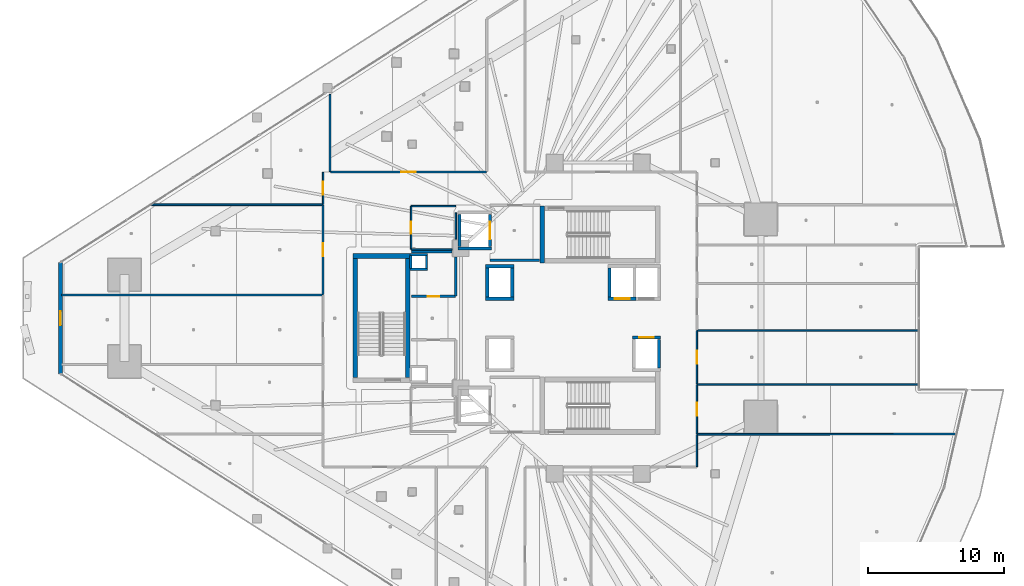
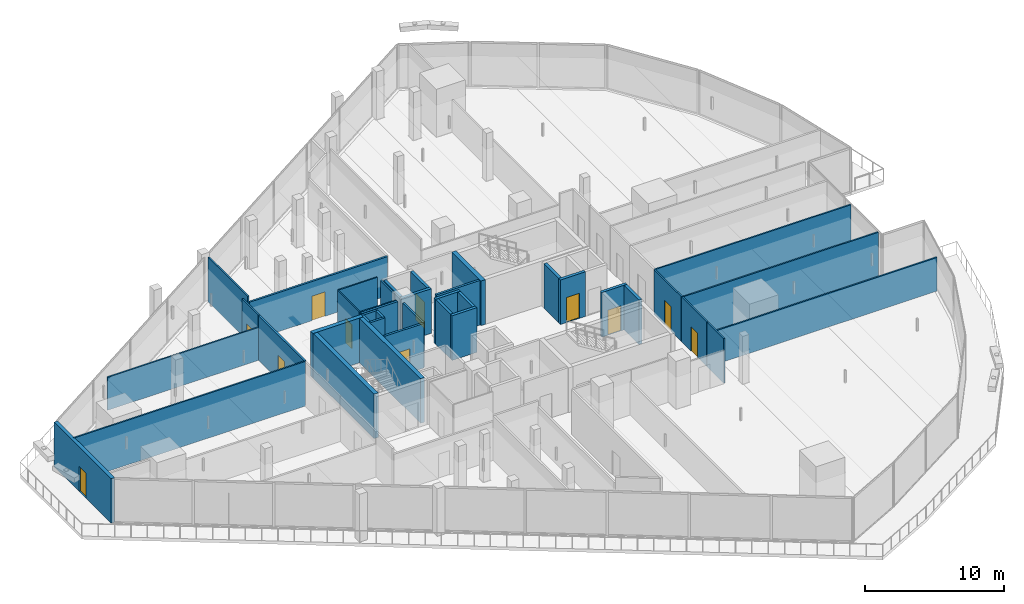
# One storey, part 29 of 44: 40 walls, 11 doors, 11 openings.
"""IFC4 building model written with IfcOpenShell, lengths in metres."""

from ifc_helpers import new_model, si_unit, direction, frame, frame_2d, origin, place, context, subcontext, project, spatial, rectangle, extrude, material, layer, layer_set, type_object, element, fill, save


model = new_model("IFC4")

# Units and contexts
model_context = context("Model", 3, precision=1e-05, world=origin(), true_north=direction((0.0, 1.0)))
body_context = subcontext(model_context, "Body", "Model", "MODEL_VIEW")
ifc_project = project(units=[si_unit("LENGTHUNIT", "METRE"), si_unit("AREAUNIT", "SQUARE_METRE"), si_unit("VOLUMEUNIT", "CUBIC_METRE"), si_unit("PLANEANGLEUNIT", "RADIAN"), si_unit("MASSUNIT", "GRAM", prefix="KILO")], contexts=[model_context])

# Site, building, storey
site_placement = place(None, origin())
site = spatial("IfcSite", under=ifc_project, at=site_placement, CompositionType="ELEMENT")
building_placement = place(site_placement, origin())
building = spatial("IfcBuilding", under=site, at=building_placement, Name="Qorvath Tower", CompositionType="ELEMENT")
storey_placement = place(building_placement, frame((0.0, 0.0, 57.60009765625)))
storey = spatial("IfcBuildingStorey", under=building, at=storey_placement, Name="L12", CompositionType="ELEMENT", Elevation=57.60009765625)

# Walls
ifc_material_1 = material(Name="Gypsum shaftliner on steel studs", Category="steel")
ifc_layer_1 = layer(ifc_material_1, 0.179931640625)
ifc_layer_set_1 = layer_set([ifc_layer_1], Name="FW-LOBBY")
wall_type_1 = type_object("IfcWallType", Name="FW-LOBBY", PredefinedType="PARTITIONING", material=ifc_layer_set_1)
for number, where, z_axis, x_axis, name in (
    (1, (-32.989990234375, 3.594970703125, 0.0), (0.0, 0.0, 1.0), (-1.0, 0.0, 0.0), "MEP Riser Shaft Enclosure Wall N-L12-S"),
    (2, (-34.260009765625, 4.675048828125, 0.0), (0.0, 0.0, 1.0), (1.0, 0.0, 0.0), "MEP Riser Shaft Enclosure Wall N-L12-N"),
):
    element("IfcWall", number, at=place(storey_placement, frame(where, z_axis=z_axis, x_axis=x_axis)), inside=storey, type_object=wall_type_1, Name=name, PredefinedType="PARTITIONING", context=body_context, shape_type="SweptSolid", body=[
        extrude(rectangle(XDim=1.27001953125, YDim=0.179931640625, at=frame_2d((0.635009765625, 0.0))), origin(), (0.0, 0.0, 1.0), 3.919921875),
    ])
for number, where, z_axis, x_axis, name in (
    (3, (-34.205078125, 3.659912109375, 0.0), (0.0, 0.0, 1.0), (0.0, 1.0, 0.0), "MEP Riser Shaft Enclosure Wall N-L12-W"),
    (4, (-33.044921875, 4.610107421875, 0.0), (0.0, 0.0, 1.0), (0.0, -1.0, 0.0), "MEP Riser Shaft Enclosure Wall N-L12-E"),
):
    element("IfcWall", number, at=place(storey_placement, frame(where, z_axis=z_axis, x_axis=x_axis)), inside=storey, type_object=wall_type_1, Name=name, PredefinedType="PARTITIONING", context=body_context, shape_type="SweptSolid", body=[
        extrude(rectangle(XDim=0.9501953125, YDim=0.179931640625, at=frame_2d((0.47509765625, 0.0))), origin(), (0.0, 0.0, 1.0), 3.919921875),
    ])
wall_1_placement = place(storey_placement, frame((-28.35498046875, 4.25, 0.0), z_axis=(0.0, 0.0, 1.0), x_axis=(1.0, 0.0, 0.0)))
element("IfcWall", 5, at=wall_1_placement, inside=storey, type_object=wall_type_1, Name="Interior Partition IW-T1-L12-001", PredefinedType="PARTITIONING", context=body_context, shape_type="SweptSolid", body=[
    extrude(rectangle(XDim=3.6220703125, YDim=0.179931640625, at=frame_2d((1.81103515625, 0.0))), origin(), (0.0, 0.0, 1.0), 3.919921875),
])

# Wall, opening, door
wall_2_placement = place(storey_placement, frame((-34.15478515625, 1.60009765625, 0.0), z_axis=(0.0, 0.0, 1.0), x_axis=(1.0, 0.0, 0.0)))
wall_2 = element("IfcWall", 6, at=wall_2_placement, inside=storey, type_object=wall_type_1, Name="Interior Partition IW-T1-L12-013", PredefinedType="PARTITIONING", context=body_context, shape_type="SweptSolid", body=[
    extrude(rectangle(XDim=3.25, YDim=0.179931640625, at=frame_2d((1.625, 0.0))), origin(), (0.0, 0.0, 1.0), 3.919921875),
])
opening_1_placement = place(wall_2_placement, frame((1.18505859375, 0.0, 0.0)))
opening_1 = element("IfcOpeningElement", 7, at=opening_1_placement, cuts=wall_2, Name="Opening D-T1-L12-03", PredefinedType="OPENING", context=body_context, shape_type="SweptSolid", body=[
    extrude(rectangle(XDim=0.8798828125, YDim=2.10009765625, at=frame_2d((0.43994140625, 1.050048828125))), frame((0.0, 0.10009765625, 0.0), z_axis=(0.0, -1.0, 0.0), x_axis=(1.0, 0.0, 0.0)), (0.0, 0.0, 1.0), 0.199951171875),
])
ifc_material_2 = material(Name="Painted galvanised hollow metal", Category="steel")
door_type_1 = type_object("IfcDoorType", Name="FD-60N", OperationType="NOTDEFINED", PredefinedType="DOOR", material=ifc_material_2)
door_1_placement = place(opening_1_placement, origin())
door_1 = element("IfcDoor", 8, at=door_1_placement, inside=storey, type_object=door_type_1, Name="Core cleaner and custodial room L12 Door D-T1-L12-03", OperationType="SINGLE_SWING_LEFT", OverallHeight=2.10009765625, OverallWidth=0.8798828125, PredefinedType="DOOR", context=body_context, shape_type="SweptSolid", body=[
    extrude(rectangle(XDim=0.8798828125, YDim=2.10009765625, at=frame_2d((0.43994140625, 1.050048828125))), frame((0.0, 0.02490234375, 0.0), z_axis=(0.0, -1.0, 0.0), x_axis=(1.0, 0.0, 0.0)), (0.0, 0.0, 1.0), 0.050048828125),
])
fill(opening_1, door_1)

# Walls
wall_3_placement = place(storey_placement, frame((-30.8798828125, 1.625, 0.0), z_axis=(0.0, 0.0, 1.0), x_axis=(0.0, 1.0, 0.0)))
element("IfcWall", 9, at=wall_3_placement, inside=storey, type_object=wall_type_1, Name="Interior Partition IW-T1-L12-014", PredefinedType="PARTITIONING", context=body_context, shape_type="SweptSolid", body=[
    extrude(rectangle(XDim=2.860107421875, YDim=0.179931640625, at=frame_2d((1.43017578125, 0.0))), origin(), (0.0, 0.0, 1.0), 3.919921875),
])
wall_4_placement = place(storey_placement, frame((-31.1650390625, 4.89990234375, 0.0), z_axis=(0.0, 0.0, 1.0), x_axis=(-1.0, 0.0, 0.0)))
element("IfcWall", 10, at=wall_4_placement, inside=storey, type_object=wall_type_1, Name="Interior Partition IW-T1-L12-015", PredefinedType="PARTITIONING", context=body_context, shape_type="SweptSolid", body=[
    extrude(rectangle(XDim=2.98974609375, YDim=0.179931640625, at=frame_2d((1.494873046875, 0.0))), origin(), (0.0, 0.0, 1.0), 3.919921875),
])

# Wall, opening, door
ifc_material_3 = material(Name="Double acoustic gypsum board on steel studs", Category="steel")
ifc_layer_2 = layer(ifc_material_3, 0.159912109375)
ifc_layer_set_2 = layer_set([ifc_layer_2], Name="IW-ACOUSTIC-160")
wall_type_2 = type_object("IfcWallType", Name="IW-ACOUSTIC-160", PredefinedType="PARTITIONING", material=ifc_layer_set_2)
wall_5_placement = place(storey_placement, frame((-40.11328125, 10.758056640625, 0.0), z_axis=(0.0, 0.0, 1.0), x_axis=(1.0, 0.0, 0.0)))
wall_5 = element("IfcWall", 11, at=wall_5_placement, inside=storey, type_object=wall_type_2, Name="Interior Partition IW-T1-L12-022", PredefinedType="PARTITIONING", context=body_context, shape_type="SweptSolid", body=[
    extrude(rectangle(XDim=11.48046875, YDim=0.159912109375, at=frame_2d((5.740234375, 0.0))), origin(), (0.0, 0.0, 1.0), 3.432861328125),
])
opening_2_placement = place(wall_5_placement, frame((5.190185546875, 0.0, 0.0)))
opening_2 = element("IfcOpeningElement", 12, at=opening_2_placement, cuts=wall_5, Name="Opening D-T1-L12-05", PredefinedType="OPENING", context=body_context, shape_type="SweptSolid", body=[
    extrude(rectangle(XDim=1.10009765625, YDim=2.14990234375, at=frame_2d((0.550048828125, 1.074951171875))), frame((0.0, 0.08984375, 0.0), z_axis=(0.0, -1.0, 0.0), x_axis=(1.0, 0.0, 0.0)), (0.0, 0.0, 1.0), 0.179931640625),
])
ifc_material_4 = material(Name="Anodised aluminium acoustic framed glass", Category="aluminium")
door_type_2 = type_object("IfcDoorType", Name="D-03", OperationType="NOTDEFINED", PredefinedType="DOOR", material=ifc_material_4)
door_2_placement = place(opening_2_placement, origin())
door_2 = element("IfcDoor", 13, at=door_2_placement, inside=storey, type_object=door_type_2, Name="L12-02 Client Services Office Door D-T1-L12-05", OperationType="SINGLE_SWING_LEFT", OverallHeight=2.14990234375, OverallWidth=1.10009765625, PredefinedType="DOOR", context=body_context, shape_type="SweptSolid", body=[
    extrude(rectangle(XDim=1.10009765625, YDim=2.14990234375, at=frame_2d((0.550048828125, 1.074951171875))), frame((0.0, 0.02490234375, 0.0), z_axis=(0.0, -1.0, 0.0), x_axis=(1.0, 0.0, 0.0)), (0.0, 0.0, 1.0), 0.050048828125),
])
fill(opening_2, door_2)

wall_6_placement = place(storey_placement, frame((-40.657958984375, 1.73583984375, 0.0), z_axis=(0.0, 0.0, 1.0), x_axis=(0.0, 1.0, 0.0)))
wall_6 = element("IfcWall", 14, at=wall_6_placement, inside=storey, type_object=wall_type_2, Name="Interior Partition IW-T1-L12-063", PredefinedType="PARTITIONING", context=body_context, shape_type="SweptSolid", body=[
    extrude(rectangle(XDim=6.5810546875, YDim=0.159912109375, at=frame_2d((3.29052734375, 0.0))), origin(), (0.0, 0.0, 1.0), 3.919921875),
])
opening_3_placement = place(wall_6_placement, frame((2.8154296875, 0.0, 0.0)))
opening_3 = element("IfcOpeningElement", 15, at=opening_3_placement, cuts=wall_6, Name="Opening D-T1-L12-18", PredefinedType="OPENING", context=body_context, shape_type="SweptSolid", body=[
    extrude(rectangle(XDim=0.949951171875, YDim=2.14990234375, at=frame_2d((0.47509765625, 1.074951171875))), frame((0.0, 0.08984375, 0.0), z_axis=(0.0, -1.0, 0.0), x_axis=(1.0, 0.0, 0.0)), (0.0, 0.0, 1.0), 0.179931640625),
])
ifc_material_5 = material(Name="Solid-core American white oak veneer", Category="wood")
door_type_3 = type_object("IfcDoorType", Name="D-01", OperationType="NOTDEFINED", PredefinedType="DOOR", material=ifc_material_5)
door_3_placement = place(opening_3_placement, origin())
door_3 = element("IfcDoor", 16, at=door_3_placement, inside=storey, type_object=door_type_3, Name="L12-15 Staff Wellness Studio Door D-T1-L12-18", OperationType="SINGLE_SWING_RIGHT", OverallHeight=2.14990234375, OverallWidth=0.949951171875, PredefinedType="DOOR", context=body_context, shape_type="SweptSolid", body=[
    extrude(rectangle(XDim=0.949951171875, YDim=2.14990234375, at=frame_2d((0.47509765625, 1.074951171875))), frame((0.0, 0.02490234375, 0.0), z_axis=(0.0, -1.0, 0.0), x_axis=(1.0, 0.0, 0.0)), (0.0, 0.0, 1.0), 0.050048828125),
])
fill(opening_3, door_3)

ifc_material_6 = material(Name="Gypsum board on metal studs with mineral wool", Category="gypsum")
ifc_layer_3 = layer(ifc_material_6, 0.125)
ifc_layer_set_3 = layer_set([ifc_layer_3], Name="IW-PART-125")
wall_type_3 = type_object("IfcWallType", Name="IW-PART-125", PredefinedType="PARTITIONING", material=ifc_layer_set_3)
wall_7_placement = place(storey_placement, frame((-40.657958984375, 8.375, 0.0), z_axis=(0.0, 0.0, 1.0), x_axis=(0.0, 1.0, 0.0)))
wall_7 = element("IfcWall", 17, at=wall_7_placement, inside=storey, type_object=wall_type_3, Name="Interior Partition IW-T1-L12-019", PredefinedType="PARTITIONING", context=body_context, shape_type="SweptSolid", body=[
    extrude(rectangle(XDim=2.358154296875, YDim=0.125, at=frame_2d((1.17919921875, 0.0))), origin(), (0.0, 0.0, 1.0), 3.919921875),
])
opening_4_placement = place(wall_7_placement, frame((0.7041015625, 0.0, 0.0)))
opening_4 = element("IfcOpeningElement", 18, at=opening_4_placement, cuts=wall_7, Name="Opening D-T1-L12-21", PredefinedType="OPENING", context=body_context, shape_type="SweptSolid", body=[
    extrude(rectangle(XDim=0.949951171875, YDim=2.14990234375, at=frame_2d((0.47509765625, 1.074951171875))), frame((0.0, 0.072509765625, 0.0), z_axis=(0.0, -1.0, 0.0), x_axis=(1.0, 0.0, 0.0)), (0.0, 0.0, 1.0), 0.14501953125),
])
door_4_placement = place(opening_4_placement, origin())
door_4 = element("IfcDoor", 19, at=door_4_placement, inside=storey, type_object=door_type_3, Name="L12-01 Staff Refreshment Pantry and Coffee Bar Door D-T1-L12-21", OperationType="SINGLE_SWING_LEFT", OverallHeight=2.14990234375, OverallWidth=0.949951171875, PredefinedType="DOOR", context=body_context, shape_type="SweptSolid", body=[
    extrude(rectangle(XDim=0.949951171875, YDim=2.14990234375, at=frame_2d((0.47509765625, 1.074951171875))), frame((0.0, 0.02490234375, 0.0), z_axis=(0.0, -1.0, 0.0), x_axis=(1.0, 0.0, 0.0)), (0.0, 0.0, 1.0), 0.050048828125),
])
fill(opening_4, door_4)

# Walls
wall_8_placement = place(storey_placement, frame((-40.14599609375, 10.783203125, 0.0), z_axis=(0.0, 0.0, 1.0), x_axis=(0.0, 1.0, 0.0)))
element("IfcWall", 20, at=wall_8_placement, inside=storey, type_object=wall_type_3, Name="Interior Partition IW-T1-L12-020", PredefinedType="PARTITIONING", context=body_context, shape_type="SweptSolid", body=[
    extrude(rectangle(XDim=5.686767578125, YDim=0.125, at=frame_2d((2.84326171875, 0.0))), origin(), (0.0, 0.0, 1.0), 3.919921875),
])
wall_9_placement = place(storey_placement, frame((-53.273681640625, 8.35009765625, 0.0), z_axis=(0.0, 0.0, 1.0), x_axis=(1.0, 0.0, 0.0)))
element("IfcWall", 21, at=wall_9_placement, inside=storey, type_object=wall_type_3, Name="Interior Partition IW-T1-L12-021", PredefinedType="PARTITIONING", context=body_context, shape_type="SweptSolid", body=[
    extrude(rectangle(XDim=12.590576171875, YDim=0.125, at=frame_2d((6.29541015625, 0.0))), origin(), (0.0, 0.0, 1.0), 2.889892578125),
])
wall_10_placement = place(storey_placement, frame((5.900390625, -8.534423828125, 0.0), z_axis=(0.0, 0.0, 1.0), x_axis=(-0.99999966248, -0.000821608021, 0.0)))
element("IfcWall", 22, at=wall_10_placement, inside=storey, type_object=wall_type_3, Name="Interior Partition IW-T1-L12-045", PredefinedType="PARTITIONING", context=body_context, shape_type="SweptSolid", body=[
    extrude(rectangle(XDim=19.017578125, YDim=0.125, at=frame_2d((9.5087890625, 0.0))), origin(), (0.0, 0.0, 1.0), 2.956787109375),
])
wall_11_placement = place(storey_placement, frame((-13.14208984375, -8.574951171875, 0.0), z_axis=(0.0, 0.0, 1.0), x_axis=(0.0, -1.0, 0.0)))
element("IfcWall", 23, at=wall_11_placement, inside=storey, type_object=wall_type_3, Name="Interior Partition IW-T1-L12-046", PredefinedType="PARTITIONING", context=body_context, shape_type="SweptSolid", body=[
    extrude(rectangle(XDim=2.358154296875, YDim=0.125, at=frame_2d((1.17919921875, 0.0))), origin(), (0.0, 0.0, 1.0), 3.919921875),
])
wall_12_placement = place(storey_placement, frame((3.139404296875, -4.87841796875, 0.0), z_axis=(0.0, 0.0, 1.0), x_axis=(-1.0, 0.0, 0.0)))
element("IfcWall", 24, at=wall_12_placement, inside=storey, type_object=wall_type_3, Name="Interior Partition IW-T1-L12-049", PredefinedType="PARTITIONING", context=body_context, shape_type="SweptSolid", body=[
    extrude(rectangle(XDim=16.256591796875, YDim=0.125, at=frame_2d((8.12841796875, 0.0))), origin(), (0.0, 0.0, 1.0), 3.919921875),
])

# Wall, opening, door
wall_13_placement = place(storey_placement, frame((-13.14208984375, -4.9033203125, 0.0), z_axis=(0.0, 0.0, 1.0), x_axis=(0.0, -1.0, 0.0)))
wall_13 = element("IfcWall", 25, at=wall_13_placement, inside=storey, type_object=wall_type_3, Name="Interior Partition IW-T1-L12-050", PredefinedType="PARTITIONING", context=body_context, shape_type="SweptSolid", body=[
    extrude(rectangle(XDim=3.61376953125, YDim=0.125, at=frame_2d((1.806884765625, 0.0))), origin(), (0.0, 0.0, 1.0), 3.919921875),
])
opening_5_placement = place(wall_13_placement, frame((1.331787109375, 0.0, 0.0)))
opening_5 = element("IfcOpeningElement", 26, at=opening_5_placement, cuts=wall_13, Name="Opening D-T1-L12-11", PredefinedType="OPENING", context=body_context, shape_type="SweptSolid", body=[
    extrude(rectangle(XDim=0.949951171875, YDim=2.14990234375, at=frame_2d((0.47509765625, 1.074951171875))), frame((0.0, 0.072509765625, 0.0), z_axis=(0.0, -1.0, 0.0), x_axis=(1.0, 0.0, 0.0)), (0.0, 0.0, 1.0), 0.14501953125),
])
door_5_placement = place(opening_5_placement, origin())
door_5 = element("IfcDoor", 27, at=door_5_placement, inside=storey, type_object=door_type_3, Name="L12-08 Engineering Documentation Suite Door D-T1-L12-11", OperationType="SINGLE_SWING_LEFT", OverallHeight=2.14990234375, OverallWidth=0.949951171875, PredefinedType="DOOR", context=body_context, shape_type="SweptSolid", body=[
    extrude(rectangle(XDim=0.949951171875, YDim=2.14990234375, at=frame_2d((0.47509765625, 1.074951171875))), frame((0.0, 0.02490234375, 0.0), z_axis=(0.0, -1.0, 0.0), x_axis=(1.0, 0.0, 0.0)), (0.0, 0.0, 1.0), 0.050048828125),
])
fill(opening_5, door_5)

wall_14_placement = place(storey_placement, frame((-13.14208984375, -0.92529296875, 0.0), z_axis=(0.0, 0.0, 1.0), x_axis=(0.0, -1.0, 0.0)))
wall_14 = element("IfcWall", 28, at=wall_14_placement, inside=storey, type_object=wall_type_3, Name="Interior Partition IW-T1-L12-051", PredefinedType="PARTITIONING", context=body_context, shape_type="SweptSolid", body=[
    extrude(rectangle(XDim=3.920166015625, YDim=0.125, at=frame_2d((1.9599609375, 0.0))), origin(), (0.0, 0.0, 1.0), 3.919921875),
])
opening_6_placement = place(wall_14_placement, frame((1.485107421875, 0.0, 0.0)))
opening_6 = element("IfcOpeningElement", 29, at=opening_6_placement, cuts=wall_14, Name="Opening D-T1-L12-12", PredefinedType="OPENING", context=body_context, shape_type="SweptSolid", body=[
    extrude(rectangle(XDim=0.949951171875, YDim=2.14990234375, at=frame_2d((0.47509765625, 1.074951171875))), frame((0.0, 0.072509765625, 0.0), z_axis=(0.0, -1.0, 0.0), x_axis=(1.0, 0.0, 0.0)), (0.0, 0.0, 1.0), 0.14501953125),
])
door_6_placement = place(opening_6_placement, origin())
door_6 = element("IfcDoor", 30, at=door_6_placement, inside=storey, type_object=door_type_3, Name="L12-09 Open Workplace Studio Door D-T1-L12-12", OperationType="SINGLE_SWING_RIGHT", OverallHeight=2.14990234375, OverallWidth=0.949951171875, PredefinedType="DOOR", context=body_context, shape_type="SweptSolid", body=[
    extrude(rectangle(XDim=0.949951171875, YDim=2.14990234375, at=frame_2d((0.47509765625, 1.074951171875))), frame((0.0, 0.02490234375, 0.0), z_axis=(0.0, -1.0, 0.0), x_axis=(1.0, 0.0, 0.0)), (0.0, 0.0, 1.0), 0.050048828125),
])
fill(opening_6, door_6)

# Walls
wall_15_placement = place(storey_placement, frame((3.139404296875, -0.900390625, 0.0), z_axis=(0.0, 0.0, 1.0), x_axis=(-1.0, 0.0, 0.0)))
element("IfcWall", 31, at=wall_15_placement, inside=storey, type_object=wall_type_3, Name="Interior Partition IW-T1-L12-052", PredefinedType="PARTITIONING", context=body_context, shape_type="SweptSolid", body=[
    extrude(rectangle(XDim=16.256591796875, YDim=0.125, at=frame_2d((8.12841796875, 0.0))), origin(), (0.0, 0.0, 1.0), 3.919921875),
])
wall_16_placement = place(storey_placement, frame((-40.68310546875, 1.702880859375, 0.0), z_axis=(0.0, 0.0, 1.0), x_axis=(-1.0, 0.0, 0.0)))
element("IfcWall", 32, at=wall_16_placement, inside=storey, type_object=wall_type_3, Name="Interior Partition IW-T1-L12-062", PredefinedType="PARTITIONING", context=body_context, shape_type="SweptSolid", body=[
    extrude(rectangle(XDim=19.2353515625, YDim=0.125, at=frame_2d((9.61767578125, 0.0))), origin(), (0.0, 0.0, 1.0), 3.919921875),
])

# Wall, opening, door
ifc_material_7 = material(Name="Moisture-resistant cement board on metal studs", Category="gypsum")
ifc_layer_4 = layer(ifc_material_7, 0.110107421875)
ifc_layer_set_4 = layer_set([ifc_layer_4], Name="IW-WC-110")
wall_type_4 = type_object("IfcWallType", Name="IW-WC-110", PredefinedType="PARTITIONING", material=ifc_layer_set_4)
wall_17_placement = place(storey_placement, frame((-34.179931640625, 8.22509765625, 0.0), z_axis=(0.0, 0.0, 1.0), x_axis=(0.0, -1.0, 0.0)))
wall_17 = element("IfcWall", 33, at=wall_17_placement, inside=storey, type_object=wall_type_4, Name="Interior Partition IW-T1-L12-005", PredefinedType="PARTITIONING", context=body_context, shape_type="SweptSolid", body=[
    extrude(rectangle(XDim=3.150146484375, YDim=0.110107421875, at=frame_2d((1.5751953125, 0.0))), origin(), (0.0, 0.0, 1.0), 3.919921875),
])
opening_7_placement = place(wall_17_placement, frame((1.135009765625, 0.0, 0.0)))
opening_7 = element("IfcOpeningElement", 34, at=opening_7_placement, cuts=wall_17, Name="Opening D-T1-L12-01", PredefinedType="OPENING", context=body_context, shape_type="SweptSolid", body=[
    extrude(rectangle(XDim=0.8798828125, YDim=2.10009765625, at=frame_2d((0.43994140625, 1.050048828125))), frame((0.0, 0.06494140625, 0.0), z_axis=(0.0, -1.0, 0.0), x_axis=(1.0, 0.0, 0.0)), (0.0, 0.0, 1.0), 0.130126953125),
])
ifc_material_8 = material(Name="Solid-core oak with acoustic drop seal", Category="wood")
door_type_4 = type_object("IfcDoorType", Name="D-02", OperationType="NOTDEFINED", PredefinedType="DOOR", material=ifc_material_8)
door_7_placement = place(opening_7_placement, origin())
door_7 = element("IfcDoor", 35, at=door_7_placement, inside=storey, type_object=door_type_4, Name="WC All-Gender North L12 Door D-T1-L12-01", OperationType="SINGLE_SWING_LEFT", OverallHeight=2.10009765625, OverallWidth=0.8798828125, PredefinedType="DOOR", context=body_context, shape_type="SweptSolid", body=[
    extrude(rectangle(XDim=0.8798828125, YDim=2.10009765625, at=frame_2d((0.43994140625, 1.050048828125))), frame((0.0, 0.02490234375, 0.0), z_axis=(0.0, -1.0, 0.0), x_axis=(1.0, 0.0, 0.0)), (0.0, 0.0, 1.0), 0.050048828125),
])
fill(opening_7, door_7)

# Walls
wall_18_placement = place(storey_placement, frame((-34.15478515625, 5.050048828125, 0.0), z_axis=(0.0, 0.0, 1.0), x_axis=(1.0, 0.0, 0.0)))
element("IfcWall", 36, at=wall_18_placement, inside=storey, type_object=wall_type_4, Name="Interior Partition IW-T1-L12-006", PredefinedType="PARTITIONING", context=body_context, shape_type="SweptSolid", body=[
    extrude(rectangle(XDim=2.98974609375, YDim=0.110107421875, at=frame_2d((1.494873046875, 0.0))), origin(), (0.0, 0.0, 1.0), 3.919921875),
])
wall_19_placement = place(storey_placement, frame((-30.8798828125, 5.81494140625, 0.0), z_axis=(0.0, 0.0, 1.0), x_axis=(0.0, 1.0, 0.0)))
element("IfcWall", 37, at=wall_19_placement, inside=storey, type_object=wall_type_4, Name="Interior Partition IW-T1-L12-007", PredefinedType="PARTITIONING", context=body_context, shape_type="SweptSolid", body=[
    extrude(rectangle(XDim=1.927978515625, YDim=0.110107421875, at=frame_2d((0.9638671875, 0.0))), origin(), (0.0, 0.0, 1.0), 3.919921875),
])
wall_20_placement = place(storey_placement, frame((-30.90478515625, 8.25, 0.0), z_axis=(0.0, 0.0, 1.0), x_axis=(-1.0, 0.0, 0.0)))
element("IfcWall", 38, at=wall_20_placement, inside=storey, type_object=wall_type_4, Name="Interior Partition IW-T1-L12-008", PredefinedType="PARTITIONING", context=body_context, shape_type="SweptSolid", body=[
    extrude(rectangle(XDim=3.25, YDim=0.110107421875, at=frame_2d((1.625, 0.0))), origin(), (0.0, 0.0, 1.0), 3.919921875),
])
ifc_material_9 = material(Name="Concrete C60/75", Category="concrete")
ifc_layer_5 = layer(ifc_material_9, 0.260009765625)
ifc_layer_set_5 = layer_set([ifc_layer_5], Name="SW-SHAFT")
wall_type_5 = type_object("IfcWallType", Name="SW-SHAFT", PredefinedType="SHEAR", material=ifc_layer_set_5)
wall_21_placement = place(storey_placement, frame((-28.260009765625, 5.1298828125, 0.0), z_axis=(0.0, 0.0, 1.0), x_axis=(-1.0, 0.0, 0.0)))
element("IfcWall", 39, at=wall_21_placement, inside=storey, type_object=wall_type_5, Name="Hoistway Wall FSAE-1 L12 S", PredefinedType="SHEAR", context=body_context, shape_type="SweptSolid", body=[
    extrude(rectangle(XDim=2.47998046875, YDim=0.239990234375, at=frame_2d((1.239990234375, 0.0))), origin(), (0.0, 0.0, 1.0), 3.919921875),
])
wall_22_placement = place(storey_placement, frame((-30.6201171875, 5.261962890625, 0.0), z_axis=(0.0, 0.0, 1.0), x_axis=(0.0, 1.0, 0.0)))
element("IfcWall", 40, at=wall_22_placement, inside=storey, type_object=wall_type_5, Name="Hoistway Wall FSAE-1 L12 W", PredefinedType="SHEAR", context=body_context, shape_type="SweptSolid", body=[
    extrude(rectangle(XDim=2.3759765625, YDim=0.239990234375, at=frame_2d((1.18798828125, 0.0))), origin(), (0.0, 0.0, 1.0), 3.919921875),
])

# Wall, opening, door
wall_23_placement = place(storey_placement, frame((-28.3798828125, 7.637939453125, 0.0), z_axis=(0.0, 0.0, 1.0), x_axis=(0.0, -1.0, 0.0)))
wall_23 = element("IfcWall", 41, at=wall_23_placement, inside=storey, type_object=wall_type_5, Name="Hoistway Wall FSAE-1 L12 E", PredefinedType="SHEAR", context=body_context, shape_type="SweptSolid", body=[
    extrude(rectangle(XDim=2.3759765625, YDim=0.239990234375, at=frame_2d((1.18798828125, 0.0))), origin(), (0.0, 0.0, 1.0), 3.919921875),
])
opening_8_placement = place(wall_23_placement, frame((0.537841796875, 0.0, 0.0)))
opening_8 = element("IfcOpeningElement", 42, at=opening_8_placement, cuts=wall_23, Name="Opening LD-FSAE-1-L12", PredefinedType="OPENING", context=body_context, shape_type="SweptSolid", body=[
    extrude(rectangle(XDim=1.300048828125, YDim=2.300048828125, at=frame_2d((0.64990234375, 1.14990234375))), frame((0.0, 0.1298828125, 0.0), z_axis=(0.0, -1.0, 0.0), x_axis=(1.0, 0.0, 0.0)), (0.0, 0.0, 1.0), 0.260009765625),
])
ifc_material_10 = material(Name="Brushed stainless steel AISI 316", Category="steel")
door_type_5 = type_object("IfcDoorType", Name="LD-02", OperationType="NOTDEFINED", PredefinedType="DOOR", material=ifc_material_10)
door_8_placement = place(opening_8_placement, origin())
door_8 = element("IfcDoor", 43, at=door_8_placement, inside=storey, type_object=door_type_5, Name="Elevator Landing Sliding Door LD-FSAE-1-L12", OperationType="DOUBLE_DOOR_SLIDING", OverallHeight=2.300048828125, OverallWidth=1.300048828125, PredefinedType="DOOR", context=body_context, shape_type="SweptSolid", body=[
    extrude(rectangle(XDim=1.300048828125, YDim=2.300048828125, at=frame_2d((0.64990234375, 1.14990234375))), frame((0.0, 0.02490234375, 0.0), z_axis=(0.0, -1.0, 0.0), x_axis=(1.0, 0.0, 0.0)), (0.0, 0.0, 1.0), 0.050048828125),
])
fill(opening_8, door_8)

# Walls
for number, where, z_axis, x_axis, name in (
    (44, (-26.610107421875, 1.429931640625, 0.0), (0.0, 0.0, 1.0), (-1.0, 0.0, 0.0), "Hoistway Wall PS-1 L12 S"),
    (45, (-28.68994140625, 3.820068359375, 0.0), (0.0, 0.0, 1.0), (1.0, 0.0, 0.0), "Hoistway Wall PS-1 L12 N"),
):
    element("IfcWall", number, at=place(storey_placement, frame(where, z_axis=z_axis, x_axis=x_axis)), inside=storey, type_object=wall_type_5, Name=name, PredefinedType="SHEAR", context=body_context, shape_type="SweptSolid", body=[
        extrude(rectangle(XDim=2.079833984375, YDim=0.239990234375, at=frame_2d((1.0400390625, 0.0))), origin(), (0.0, 0.0, 1.0), 3.919921875),
    ])
for number, where, z_axis, x_axis, name in (
    (46, (-28.570068359375, 1.56201171875, 0.0), (0.0, 0.0, 1.0), (0.0, 1.0, 0.0), "Hoistway Wall PS-1 L12 W"),
    (47, (-26.72998046875, 3.68798828125, 0.0), (0.0, 0.0, 1.0), (0.0, -1.0, 0.0), "Hoistway Wall PS-1 L12 E"),
):
    element("IfcWall", number, at=place(storey_placement, frame(where, z_axis=z_axis, x_axis=x_axis)), inside=storey, type_object=wall_type_5, Name=name, PredefinedType="SHEAR", context=body_context, shape_type="SweptSolid", body=[
        extrude(rectangle(XDim=2.1259765625, YDim=0.239990234375, at=frame_2d((1.06298828125, 0.0))), origin(), (0.0, 0.0, 1.0), 3.919921875),
    ])

# Wall, opening, door
wall_24_placement = place(storey_placement, frame((-17.610107421875, 1.429931640625, 0.0), z_axis=(0.0, 0.0, 1.0), x_axis=(-1.0, 0.0, 0.0)))
wall_24 = element("IfcWall", 48, at=wall_24_placement, inside=storey, type_object=wall_type_5, Name="Hoistway Wall PL-1 L12 S", PredefinedType="SHEAR", context=body_context, shape_type="SweptSolid", body=[
    extrude(rectangle(XDim=2.079833984375, YDim=0.239990234375, at=frame_2d((1.0400390625, 0.0))), origin(), (0.0, 0.0, 1.0), 3.919921875),
])
opening_9_placement = place(wall_24_placement, frame((0.48974609375, 0.0, 0.0)))
opening_9 = element("IfcOpeningElement", 49, at=opening_9_placement, cuts=wall_24, Name="Opening LD-PL-1-L12", PredefinedType="OPENING", context=body_context, shape_type="SweptSolid", body=[
    extrude(rectangle(XDim=1.10009765625, YDim=2.199951171875, at=frame_2d((0.550048828125, 1.10009765625))), frame((0.0, 0.1298828125, 0.0), z_axis=(0.0, -1.0, 0.0), x_axis=(1.0, 0.0, 0.0)), (0.0, 0.0, 1.0), 0.260009765625),
])
ifc_material_11 = material(Name="Brushed stainless steel AISI 316", Category="steel")
door_type_6 = type_object("IfcDoorType", Name="LD-01", OperationType="NOTDEFINED", PredefinedType="DOOR", material=ifc_material_11)
door_9_placement = place(opening_9_placement, origin())
door_9 = element("IfcDoor", 50, at=door_9_placement, inside=storey, type_object=door_type_6, Name="Elevator Landing Sliding Door LD-PL-1-L12", OperationType="DOUBLE_DOOR_SLIDING", OverallHeight=2.199951171875, OverallWidth=1.10009765625, PredefinedType="DOOR", context=body_context, shape_type="SweptSolid", body=[
    extrude(rectangle(XDim=1.10009765625, YDim=2.199951171875, at=frame_2d((0.550048828125, 1.10009765625))), frame((0.0, 0.02490234375, 0.0), z_axis=(0.0, -1.0, 0.0), x_axis=(1.0, 0.0, 0.0)), (0.0, 0.0, 1.0), 0.050048828125),
])
fill(opening_9, door_9)

# Wall
wall_25_placement = place(storey_placement, frame((-19.570068359375, 1.56201171875, 0.0), z_axis=(0.0, 0.0, 1.0), x_axis=(0.0, 1.0, 0.0)))
element("IfcWall", 51, at=wall_25_placement, inside=storey, type_object=wall_type_5, Name="Hoistway Wall PL-1 L12 W", PredefinedType="SHEAR", context=body_context, shape_type="SweptSolid", body=[
    extrude(rectangle(XDim=2.1259765625, YDim=0.239990234375, at=frame_2d((1.06298828125, 0.0))), origin(), (0.0, 0.0, 1.0), 3.919921875),
])

# Wall, opening, door
wall_26_placement = place(storey_placement, frame((-17.889892578125, -1.429931640625, 0.0), z_axis=(0.0, 0.0, 1.0), x_axis=(1.0, 0.0, 0.0)))
wall_26 = element("IfcWall", 52, at=wall_26_placement, inside=storey, type_object=wall_type_5, Name="Hoistway Wall PL-2 L12 N", PredefinedType="SHEAR", context=body_context, shape_type="SweptSolid", body=[
    extrude(rectangle(XDim=2.079833984375, YDim=0.239990234375, at=frame_2d((1.0400390625, 0.0))), origin(), (0.0, 0.0, 1.0), 3.919921875),
])
opening_10_placement = place(wall_26_placement, frame((0.48974609375, 0.0, 0.0)))
opening_10 = element("IfcOpeningElement", 53, at=opening_10_placement, cuts=wall_26, Name="Opening LD-PL-2-L12", PredefinedType="OPENING", context=body_context, shape_type="SweptSolid", body=[
    extrude(rectangle(XDim=1.10009765625, YDim=2.199951171875, at=frame_2d((0.550048828125, 1.10009765625))), frame((0.0, 0.1298828125, 0.0), z_axis=(0.0, -1.0, 0.0), x_axis=(1.0, 0.0, 0.0)), (0.0, 0.0, 1.0), 0.260009765625),
])
door_10_placement = place(opening_10_placement, origin())
door_10 = element("IfcDoor", 54, at=door_10_placement, inside=storey, type_object=door_type_6, Name="Elevator Landing Sliding Door LD-PL-2-L12", OperationType="DOUBLE_DOOR_SLIDING", OverallHeight=2.199951171875, OverallWidth=1.10009765625, PredefinedType="DOOR", context=body_context, shape_type="SweptSolid", body=[
    extrude(rectangle(XDim=1.10009765625, YDim=2.199951171875, at=frame_2d((0.550048828125, 1.10009765625))), frame((0.0, 0.02490234375, 0.0), z_axis=(0.0, -1.0, 0.0), x_axis=(1.0, 0.0, 0.0)), (0.0, 0.0, 1.0), 0.050048828125),
])
fill(opening_10, door_10)

# Walls
wall_27_placement = place(storey_placement, frame((-15.929931640625, -1.56201171875, 0.0), z_axis=(0.0, 0.0, 1.0), x_axis=(0.0, -1.0, 0.0)))
element("IfcWall", 55, at=wall_27_placement, inside=storey, type_object=wall_type_5, Name="Hoistway Wall PL-2 L12 E", PredefinedType="SHEAR", context=body_context, shape_type="SweptSolid", body=[
    extrude(rectangle(XDim=2.1259765625, YDim=0.239990234375, at=frame_2d((1.06298828125, 0.0))), origin(), (0.0, 0.0, 1.0), 3.919921875),
])
ifc_material_12 = material(Name="Concrete C60/75", Category="concrete")
ifc_layer_6 = layer(ifc_material_12, 0.35009765625)
ifc_layer_set_6 = layer_set([ifc_layer_6], Name="SW-STAIR")
wall_type_6 = type_object("IfcWallType", Name="SW-STAIR", PredefinedType="SHEAR", material=ifc_layer_set_6)
for number, where, z_axis, x_axis, name in (
    (56, (-24.52490234375, 8.260009765625, 0.0), (0.0, 0.0, 1.0), (0.0, -1.0, 0.0), "Stair TS1 Shear Wall L12 NEAR"),
    (57, (-34.25, 4.574951171875, 0.0), (0.0, 0.0, 1.0), (-1.0, 0.0, 0.0), "Stair TS3 Shear Wall L12 FAR"),
):
    element("IfcWall", number, at=place(storey_placement, frame(where, z_axis=z_axis, x_axis=x_axis)), inside=storey, type_object=wall_type_6, Name=name, PredefinedType="SHEAR", context=body_context, shape_type="SweptSolid", body=[
        extrude(rectangle(XDim=4.2099609375, YDim=0.35009765625, at=frame_2d((2.10498046875, 0.0))), origin(), (0.0, 0.0, 1.0), 3.919921875),
    ])
for number, where, z_axis, x_axis, name in (
    (58, (-34.425048828125, -4.385009765625, 0.0), (0.0, 0.0, 1.0), (0.0, 1.0, 0.0), "Stair TS3 Shear Wall L12 LEFT"),
    (59, (-38.284912109375, 4.385009765625, 0.0), (0.0, 0.0, 1.0), (0.0, -1.0, 0.0), "Stair TS3 Shear Wall L12 RIGHT"),
):
    element("IfcWall", number, at=place(storey_placement, frame(where, z_axis=z_axis, x_axis=x_axis)), inside=storey, type_object=wall_type_6, Name=name, PredefinedType="SHEAR", context=body_context, shape_type="SweptSolid", body=[
        extrude(rectangle(XDim=8.77001953125, YDim=0.35009765625, at=frame_2d((4.385009765625, 0.0))), origin(), (0.0, 0.0, 1.0), 3.919921875),
    ])

# Wall, opening, door
ifc_material_13 = material(Name="Precast concrete C45/55", Category="concrete")
ifc_layer_7 = layer(ifc_material_13, 0.300048828125)
ifc_layer_set_7 = layer_set([ifc_layer_7], Name="WL-EW-LOG-300")
wall_type_7 = type_object("IfcWallType", Name="WL-EW-LOG-300", PredefinedType="SOLIDWALL", material=ifc_layer_set_7)
wall_28_placement = place(storey_placement, frame((-59.998291015625, -4.103271484375, 0.0), z_axis=(0.0, 0.0, 1.0), x_axis=(0.0, 1.0, 0.0)))
wall_28 = element("IfcWall", 60, at=wall_28_placement, inside=storey, type_object=wall_type_7, Name="Tower Precast Loggia Wall L12-1.1", PredefinedType="SOLIDWALL", context=body_context, shape_type="SweptSolid", body=[
    extrude(rectangle(XDim=8.20654296875, YDim=0.300048828125, at=frame_2d((4.103271484375, 0.0))), origin(), (0.0, 0.0, 1.0), 3.919921875),
])
opening_11_placement = place(wall_28_placement, frame((3.578369140625, 0.0, 0.0)))
opening_11 = element("IfcOpeningElement", 61, at=opening_11_placement, cuts=wall_28, Name="Opening ED-L12-01", PredefinedType="OPENING", context=body_context, shape_type="SweptSolid", body=[
    extrude(rectangle(XDim=1.050048828125, YDim=2.199951171875, at=frame_2d((0.52490234375, 1.10009765625))), frame((0.0, 0.16015625, 0.0), z_axis=(0.0, -1.0, 0.0), x_axis=(1.0, 0.0, 0.0)), (0.0, 0.0, 1.0), 0.320068359375),
])
ifc_material_14 = material(Name="Thermally broken aluminium glazed door", Category="aluminium")
door_type_7 = type_object("IfcDoorType", Name="ED-LOG", OperationType="NOTDEFINED", PredefinedType="DOOR", material=ifc_material_14)
door_11_placement = place(opening_11_placement, origin())
door_11 = element("IfcDoor", 62, at=door_11_placement, inside=storey, type_object=door_type_7, Name="L12 Recessed Loggia Access Door 1", OperationType="SINGLE_SWING_LEFT", OverallHeight=2.199951171875, OverallWidth=1.050048828125, PredefinedType="DOOR", context=body_context, shape_type="SweptSolid", body=[
    extrude(rectangle(XDim=1.050048828125, YDim=2.199951171875, at=frame_2d((0.52490234375, 1.10009765625))), frame((0.0, 0.02490234375, 0.0), z_axis=(0.0, -1.0, 0.0), x_axis=(1.0, 0.0, 0.0)), (0.0, 0.0, 1.0), 0.050048828125),
])
fill(opening_11, door_11)

save(model, "model.ifc")
